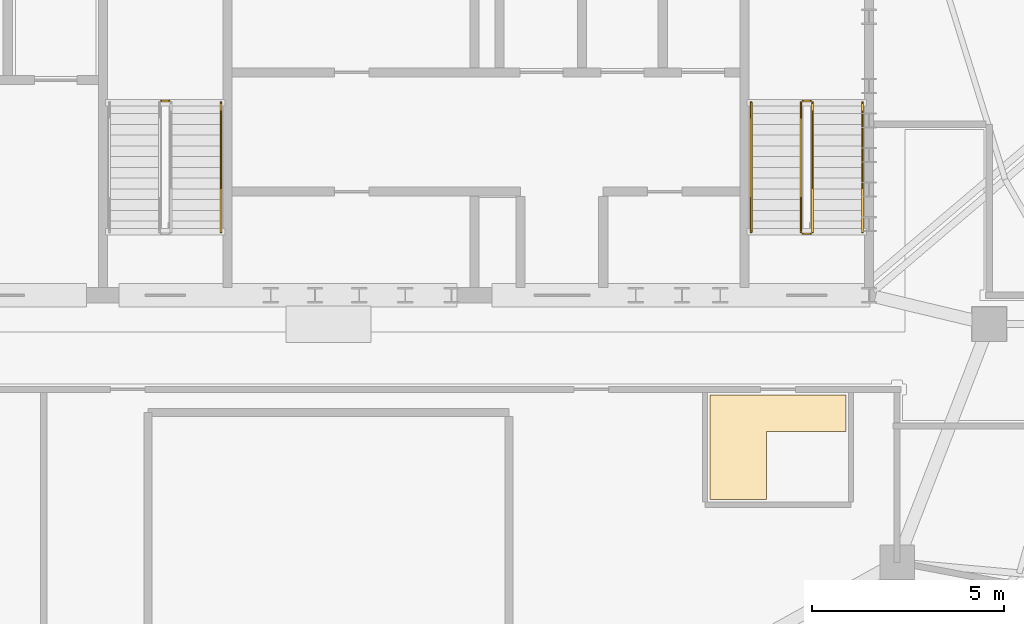
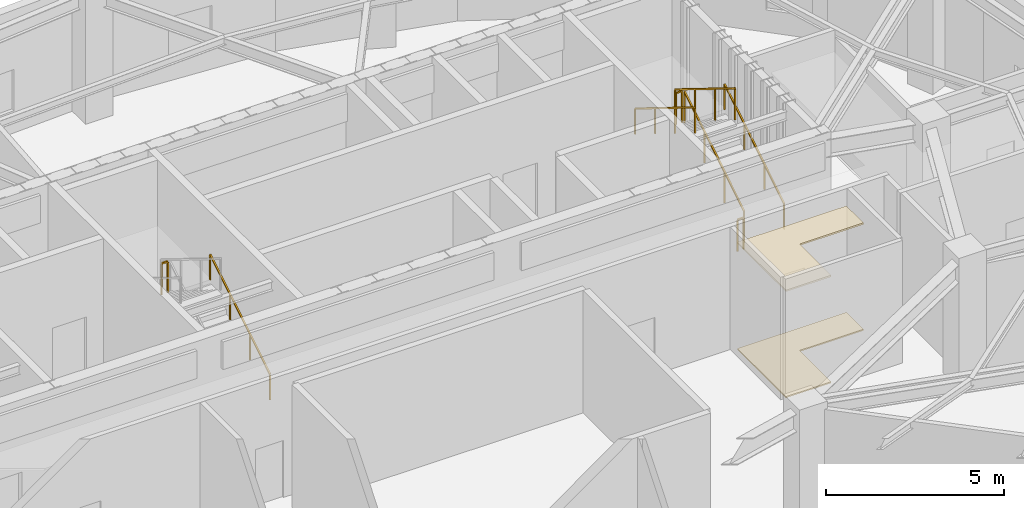
# One storey, part 10 of 10: 8 railings, 2 coverings.
"""IFC4 building model written with IfcOpenShell, lengths in metres."""

from ifc_helpers import new_model, si_unit, direction, frame, origin, origin_2d, place, context, subcontext, project, spatial, polyline, rectangle, outline, extrude, material, layer, layer_set, type_object, element, save


model = new_model("IFC4")

# Units and contexts
model_context = context("Model", 3, precision=1e-05, world=origin(), true_north=direction((0.0, 1.0)))
body_context = subcontext(model_context, "Body", "Model", "MODEL_VIEW")
ifc_project = project(units=[si_unit("LENGTHUNIT", "METRE"), si_unit("AREAUNIT", "SQUARE_METRE"), si_unit("VOLUMEUNIT", "CUBIC_METRE"), si_unit("PLANEANGLEUNIT", "RADIAN"), si_unit("MASSUNIT", "GRAM", prefix="KILO")], contexts=[model_context])

# Site, building, storey
site_placement = place(None, origin())
site = spatial("IfcSite", under=ifc_project, at=site_placement, CompositionType="ELEMENT")
building_placement = place(site_placement, origin())
building = spatial("IfcBuilding", under=site, at=building_placement, Name="Haldorwick Loom Tower", CompositionType="ELEMENT")
storey_placement = place(building_placement, frame((0.0, 0.0, 273.0)))
storey = spatial("IfcBuildingStorey", under=building, at=storey_placement, Name="L74", CompositionType="ELEMENT", Elevation=273.0)

# Coverings
ifc_material_1 = material(Name="Mineral Fibre Acoustic Ceiling Tile")
ifc_layer_1 = layer(ifc_material_1, 0.054931640625, Name="Mineral Fibre Acoustic Ceiling Tile")
ifc_layer_set_1 = layer_set([ifc_layer_1], Name="Mineral Fibre Acoustic Ceiling Tile")
covering_type_1 = type_object("IfcCoveringType", Name="ARC-COV-CEIL2", PredefinedType="CEILING", material=ifc_layer_set_1)
covering_1_placement = place(storey_placement, frame((0.0, 0.0, 3.64501953125)))
element("IfcCovering", 1, at=covering_1_placement, inside=storey, type_object=covering_type_1, Name="L74 Acoustic Suspended Ceiling 2", PredefinedType="CEILING", context=body_context, shape_type="SweptSolid", body=[
    extrude(outline(polyline([(45.929931640625, 24.159912109375), (45.929931640625, 21.429931640625), (47.39990234375, 21.429931640625), (47.39990234375, 23.199951171875), (49.469970703125, 23.199951171875), (49.469970703125, 24.159912109375), (45.929931640625, 24.159912109375)])), origin(), (0.0, 0.0, 1.0), 0.054931640625),
])
ifc_material_2 = material(Name="Polished Aggregate Terrazzo Finish")
ifc_layer_2 = layer(ifc_material_2, 0.044921875, Name="Polished Aggregate Terrazzo Finish")
ifc_layer_set_2 = layer_set([ifc_layer_2], Name="Polished Aggregate Terrazzo Finish")
covering_type_2 = type_object("IfcCoveringType", Name="ARC-COV-FLOOR2", PredefinedType="FLOORING", material=ifc_layer_set_2)
covering_2_placement = place(storey_placement, origin())
element("IfcCovering", 2, at=covering_2_placement, inside=storey, type_object=covering_type_2, Name="L74 Floor Finish 2", PredefinedType="FLOORING", context=body_context, shape_type="SweptSolid", body=[
    extrude(outline(polyline([(45.929931640625, 24.159912109375), (45.929931640625, 21.429931640625), (47.39990234375, 21.429931640625), (47.39990234375, 23.199951171875), (49.469970703125, 23.199951171875), (49.469970703125, 24.159912109375), (45.929931640625, 24.159912109375)])), origin(), (0.0, 0.0, 1.0), 0.044921875),
])

# Railings
ifc_material_3 = material(Name="Steel CSA G40.21 350W", Category="steel")
railing_type_1 = type_object("IfcRailingType", Name="ARC-RLG-GUARD112", PredefinedType="GUARDRAIL", material=ifc_material_3)
railing_1_placement = place(storey_placement, frame((48.60009765625, 28.39990234375, 0.173095703125)))
element("IfcRailing", 3, at=railing_1_placement, inside=storey, type_object=railing_type_1, Name="L74 ST-02 stair guard 1", PredefinedType="GUARDRAIL", context=body_context, shape_type="SweptSolid", body=[
    extrude(rectangle(XDim=0.048095703125, YDim=0.048095703125, at=origin_2d()), frame((0.0, 0.0, 1.076171875), z_axis=(0.0, 0.850623216509, 0.525775754039), x_axis=(-1.0, 0.0, 0.0)), (0.0, 0.0, 1.0), 3.9501953125),
    extrude(rectangle(XDim=0.0419921875, YDim=0.0419921875, at=origin_2d()), origin(), (0.0, 0.0, 1.0), 1.052001953125),
    extrude(rectangle(XDim=0.0419921875, YDim=0.0419921875, at=origin_2d()), frame((0.0, 1.1201171875, 0.6923828125)), (0.0, 0.0, 1.0), 1.052001953125),
    extrude(rectangle(XDim=0.0419921875, YDim=0.0419921875, at=origin_2d()), frame((0.0, 2.239990234375, 1.384521484375)), (0.0, 0.0, 1.0), 1.052001953125),
    extrude(rectangle(XDim=0.0419921875, YDim=0.0419921875, at=origin_2d()), frame((0.0, 3.360107421875, 2.076904296875)), (0.0, 0.0, 1.0), 1.052001953125),
])
railing_2_placement = place(storey_placement, frame((48.550048828125, 31.81005859375, 2.25)))
element("IfcRailing", 4, at=railing_2_placement, inside=storey, type_object=railing_type_1, Name="L74 ST-02 stair guard 2", PredefinedType="GUARDRAIL", context=body_context, shape_type="SweptSolid", body=[
    extrude(rectangle(XDim=0.048095703125, YDim=0.048095703125, at=origin_2d()), frame((0.0, 0.0, 1.076171875), z_axis=(-1.0, 0.0, 0.0), x_axis=(0.0, -1.0, 0.0)), (0.0, 0.0, 1.0), 0.199951171875),
    extrude(rectangle(XDim=0.0419921875, YDim=0.0419921875, at=origin_2d()), origin(), (0.0, 0.0, 1.0), 1.052001953125),
    extrude(rectangle(XDim=0.0419921875, YDim=0.0419921875, at=origin_2d()), frame((-0.199951171875, 0.0, 0.0)), (0.0, 0.0, 1.0), 1.052001953125),
])
railing_3_placement = place(storey_placement, frame((48.300048828125, 31.760009765625, 2.423095703125)))
element("IfcRailing", 5, at=railing_3_placement, inside=storey, type_object=railing_type_1, Name="L74 ST-02 stair guard 3", PredefinedType="GUARDRAIL", context=body_context, shape_type="SweptSolid", body=[
    extrude(rectangle(XDim=0.048095703125, YDim=0.048095703125, at=origin_2d()), frame((0.0, 0.0, 1.076171875), z_axis=(0.0, -0.850623216509, 0.525775754039), x_axis=(1.0, 0.0, 0.0)), (0.0, 0.0, 1.0), 3.9501953125),
    extrude(rectangle(XDim=0.0419921875, YDim=0.0419921875, at=origin_2d()), origin(), (0.0, 0.0, 1.0), 1.052001953125),
    extrude(rectangle(XDim=0.0419921875, YDim=0.0419921875, at=origin_2d()), frame((0.0, -1.1201171875, 0.6923828125)), (0.0, 0.0, 1.0), 1.052001953125),
    extrude(rectangle(XDim=0.0419921875, YDim=0.0419921875, at=origin_2d()), frame((0.0, -2.239990234375, 1.384521484375)), (0.0, 0.0, 1.0), 1.052001953125),
    extrude(rectangle(XDim=0.0419921875, YDim=0.0419921875, at=origin_2d()), frame((0.0, -3.360107421875, 2.076904296875)), (0.0, 0.0, 1.0), 1.052001953125),
])
railing_4_placement = place(storey_placement, frame((48.550048828125, 28.35009765625, 0.0)))
element("IfcRailing", 6, at=railing_4_placement, inside=storey, type_object=railing_type_1, Name="L74 ST-02 stair guard 4", PredefinedType="GUARDRAIL", context=body_context, shape_type="SweptSolid", body=[
    extrude(rectangle(XDim=0.048095703125, YDim=0.048095703125, at=origin_2d()), frame((0.0, 0.0, 1.076171875), z_axis=(-1.0, 0.0, 0.0), x_axis=(0.0, -1.0, 0.0)), (0.0, 0.0, 1.0), 0.199951171875),
    extrude(rectangle(XDim=0.0419921875, YDim=0.0419921875, at=origin_2d()), origin(), (0.0, 0.0, 1.0), 1.052001953125),
    extrude(rectangle(XDim=0.0419921875, YDim=0.0419921875, at=origin_2d()), frame((-0.199951171875, 0.0, 0.0)), (0.0, 0.0, 1.0), 1.052001953125),
])
railing_5_placement = place(storey_placement, frame((31.85009765625, 31.81005859375, 2.25)))
element("IfcRailing", 7, at=railing_5_placement, inside=storey, type_object=railing_type_1, Name="L74 ST-03 stair guard 2", PredefinedType="GUARDRAIL", context=body_context, shape_type="SweptSolid", body=[
    extrude(rectangle(XDim=0.048095703125, YDim=0.048095703125, at=origin_2d()), frame((0.0, 0.0, 1.076171875), z_axis=(-1.0, 0.0, 0.0), x_axis=(0.0, -1.0, 0.0)), (0.0, 0.0, 1.0), 0.2001953125),
    extrude(rectangle(XDim=0.0419921875, YDim=0.0419921875, at=origin_2d()), origin(), (0.0, 0.0, 1.0), 1.052001953125),
    extrude(rectangle(XDim=0.0419921875, YDim=0.0419921875, at=origin_2d()), frame((-0.2001953125, 0.0, 0.0)), (0.0, 0.0, 1.0), 1.052001953125),
])
railing_type_2 = type_object("IfcRailingType", Name="ARC-RLG-HAND092", PredefinedType="HANDRAIL", material=ifc_material_3)
railing_6_placement = place(storey_placement, frame((49.89990234375, 28.39990234375, 0.173095703125)))
element("IfcRailing", 8, at=railing_6_placement, inside=storey, type_object=railing_type_2, Name="L74 ST-02 stair handrail 1", PredefinedType="HANDRAIL", context=body_context, shape_type="SweptSolid", body=[
    extrude(rectangle(XDim=0.048095703125, YDim=0.048095703125, at=origin_2d()), frame((0.0, 0.0, 0.8759765625), z_axis=(0.0, 0.850623216509, 0.525775754039), x_axis=(-1.0, 0.0, 0.0)), (0.0, 0.0, 1.0), 3.9501953125),
    extrude(rectangle(XDim=0.0419921875, YDim=0.0419921875, at=origin_2d()), origin(), (0.0, 0.0, 1.0), 0.851806640625),
    extrude(rectangle(XDim=0.0419921875, YDim=0.0419921875, at=origin_2d()), frame((0.0, 1.1201171875, 0.6923828125)), (0.0, 0.0, 1.0), 0.851806640625),
    extrude(rectangle(XDim=0.0419921875, YDim=0.0419921875, at=origin_2d()), frame((0.0, 2.239990234375, 1.384521484375)), (0.0, 0.0, 1.0), 0.851806640625),
    extrude(rectangle(XDim=0.0419921875, YDim=0.0419921875, at=origin_2d()), frame((0.0, 3.360107421875, 2.076904296875)), (0.0, 0.0, 1.0), 0.851806640625),
])
railing_7_placement = place(storey_placement, frame((47.0, 31.760009765625, 2.423095703125)))
element("IfcRailing", 9, at=railing_7_placement, inside=storey, type_object=railing_type_2, Name="L74 ST-02 stair handrail 2", PredefinedType="HANDRAIL", context=body_context, shape_type="SweptSolid", body=[
    extrude(rectangle(XDim=0.048095703125, YDim=0.048095703125, at=origin_2d()), frame((0.0, 0.0, 0.8759765625), z_axis=(0.0, -0.850623216509, 0.525775754039), x_axis=(1.0, 0.0, 0.0)), (0.0, 0.0, 1.0), 3.9501953125),
    extrude(rectangle(XDim=0.0419921875, YDim=0.0419921875, at=origin_2d()), origin(), (0.0, 0.0, 1.0), 0.851806640625),
    extrude(rectangle(XDim=0.0419921875, YDim=0.0419921875, at=origin_2d()), frame((0.0, -1.1201171875, 0.6923828125)), (0.0, 0.0, 1.0), 0.851806640625),
    extrude(rectangle(XDim=0.0419921875, YDim=0.0419921875, at=origin_2d()), frame((0.0, -2.239990234375, 1.384521484375)), (0.0, 0.0, 1.0), 0.851806640625),
    extrude(rectangle(XDim=0.0419921875, YDim=0.0419921875, at=origin_2d()), frame((0.0, -3.360107421875, 2.076904296875)), (0.0, 0.0, 1.0), 0.851806640625),
])
railing_8_placement = place(storey_placement, frame((33.199951171875, 28.39990234375, 0.173095703125)))
element("IfcRailing", 10, at=railing_8_placement, inside=storey, type_object=railing_type_2, Name="L74 ST-03 stair handrail 1", PredefinedType="HANDRAIL", context=body_context, shape_type="SweptSolid", body=[
    extrude(rectangle(XDim=0.048095703125, YDim=0.048095703125, at=origin_2d()), frame((0.0, 0.0, 0.8759765625), z_axis=(0.0, 0.850623216509, 0.525775754039), x_axis=(-1.0, 0.0, 0.0)), (0.0, 0.0, 1.0), 3.9501953125),
    extrude(rectangle(XDim=0.0419921875, YDim=0.0419921875, at=origin_2d()), origin(), (0.0, 0.0, 1.0), 0.851806640625),
    extrude(rectangle(XDim=0.0419921875, YDim=0.0419921875, at=origin_2d()), frame((0.0, 1.1201171875, 0.6923828125)), (0.0, 0.0, 1.0), 0.851806640625),
    extrude(rectangle(XDim=0.0419921875, YDim=0.0419921875, at=origin_2d()), frame((0.0, 2.239990234375, 1.384521484375)), (0.0, 0.0, 1.0), 0.851806640625),
    extrude(rectangle(XDim=0.0419921875, YDim=0.0419921875, at=origin_2d()), frame((0.0, 3.360107421875, 2.076904296875)), (0.0, 0.0, 1.0), 0.851806640625),
])

save(model, "model.ifc")
